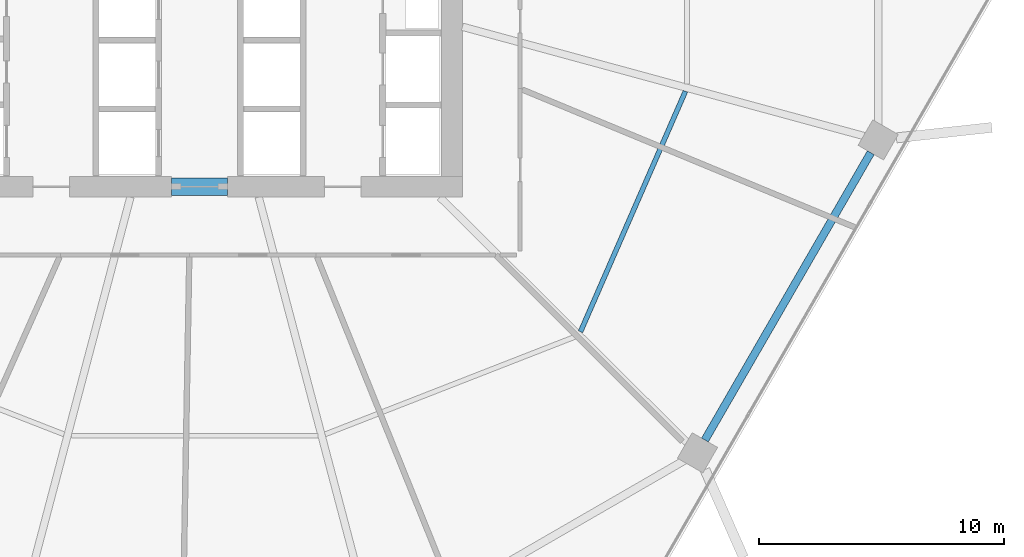
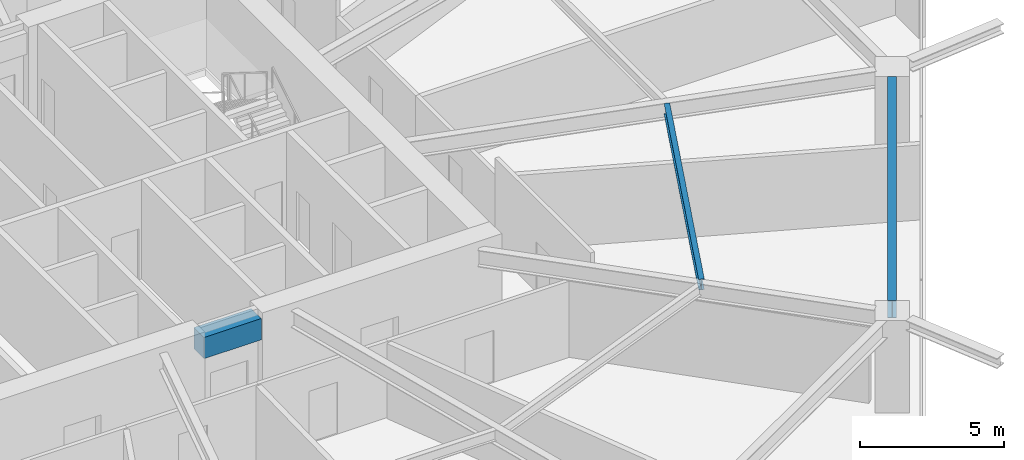
# One storey, part 10 of 25: 3 beams.
"""IFC4 building model written with IfcOpenShell, lengths in metres."""

from ifc_helpers import new_model, si_unit, direction, frame, origin, origin_2d, place, context, subcontext, project, spatial, rectangle, i_section, extrude, material, material_profile, profile_set, type_object, element, save


model = new_model("IFC4")

# Units and contexts
model_context = context("Model", 3, precision=1e-05, world=origin(), true_north=direction((0.0, 1.0)))
body_context = subcontext(model_context, "Body", "Model", "MODEL_VIEW")
ifc_project = project(units=[si_unit("LENGTHUNIT", "METRE"), si_unit("AREAUNIT", "SQUARE_METRE"), si_unit("VOLUMEUNIT", "CUBIC_METRE"), si_unit("PLANEANGLEUNIT", "RADIAN"), si_unit("MASSUNIT", "GRAM", prefix="KILO")], contexts=[model_context])

# Site, building, storey
site_placement = place(None, origin())
site = spatial("IfcSite", under=ifc_project, at=site_placement, CompositionType="ELEMENT")
building_placement = place(site_placement, origin())
building = spatial("IfcBuilding", under=site, at=building_placement, Name="Zuhravey Tower", CompositionType="ELEMENT")
storey_placement = place(building_placement, frame((0.0, 0.0, 70.800048828125)))
storey = spatial("IfcBuildingStorey", under=building, at=storey_placement, Name="L17", CompositionType="ELEMENT", Elevation=70.800048828125)

# Beams
ifc_material_1 = material(Name="Concrete C60/75", Category="concrete")
ifc_material_profile_1 = material_profile(ifc_material_1, rectangle(XDim=0.699951171875, YDim=0.89990234375, at=origin_2d()), Name="RC-700x900")
ifc_profile_set_1 = profile_set([ifc_material_profile_1], Name="Concrete C60/75")
beam_type_1 = type_object("IfcBeamType", Name="Core Coupling Beam RC700x900", PredefinedType="LINTEL", material=ifc_profile_set_1)
beam_1_placement = place(storey_placement, frame((35.052001953125, 22.5, 3.469970703125), z_axis=(1.0, 0.0, 0.0), x_axis=(0.0, 1.0, 0.0)))
element("IfcBeam", 1, at=beam_1_placement, inside=storey, type_object=beam_type_1, Name="L17 CB1 BM-L17-CB-S", PredefinedType="LINTEL", context=body_context, shape_type="SweptSolid", body=[
    extrude(rectangle(XDim=0.699951171875, YDim=0.89990234375, at=origin_2d()), origin(), (0.0, 0.0, 1.0), 2.2958984375),
])
ifc_material_2 = material(Name="Steel SM355", Category="steel")
ifc_material_profile_2 = material_profile(ifc_material_2, i_section(OverallWidth=0.320068359375, OverallDepth=0.75, WebThickness=0.013916015625, FlangeThickness=0.02490234375, at=origin_2d()), Name="H-750x320x14x25")
ifc_profile_set_2 = profile_set([ifc_material_profile_2], Name="Steel SM355")
beam_type_2 = type_object("IfcBeamType", Name="Perimeter Ring Beam H750x320", PredefinedType="BEAM", material=ifc_profile_set_2)
beam_2_placement = place(storey_placement, frame((56.820556640625, 12.165283203125, 3.544921875), z_axis=(0.499999877243, 0.866025474658, 0.0), x_axis=(-0.866025474658, 0.499999877243, 0.0)))
element("IfcBeam", 2, at=beam_2_placement, inside=storey, type_object=beam_type_2, Name="L17 PB1 BM-L17-PB-11", PredefinedType="BEAM", context=body_context, shape_type="SweptSolid", body=[
    extrude(i_section(OverallWidth=0.320068359375, OverallDepth=0.75, WebThickness=0.013916015625, FlangeThickness=0.02490234375, at=origin_2d()), origin(), (0.0, 0.0, 1.0), 13.5341796875),
])
ifc_material_profile_3 = material_profile(ifc_material_2, i_section(OverallWidth=0.199951171875, OverallDepth=0.449951171875, WebThickness=0.009033203125, FlangeThickness=0.013916015625, at=origin_2d()), Name="H-450x200x9x14")
ifc_profile_set_3 = profile_set([ifc_material_profile_3], Name="Steel SM355")
beam_type_3 = type_object("IfcBeamType", Name="Secondary Floor Joist H450x200", PredefinedType="JOIST", material=ifc_profile_set_3)
beam_3_placement = place(storey_placement, frame((51.7451171875, 16.58154296875, 3.695068359375), z_axis=(0.399923551578, 0.916548500022, 0.0), x_axis=(-0.916548500022, 0.399923551578, 0.0)))
element("IfcBeam", 3, at=beam_3_placement, inside=storey, type_object=beam_type_3, Name="L17 SJ1 BM-L17-SJ-11-1", PredefinedType="JOIST", context=body_context, shape_type="SweptSolid", body=[
    extrude(i_section(OverallWidth=0.199951171875, OverallDepth=0.449951171875, WebThickness=0.009033203125, FlangeThickness=0.013916015625, at=origin_2d()), origin(), (0.0, 0.0, 1.0), 10.70263671875),
])

save(model, "model.ifc")
